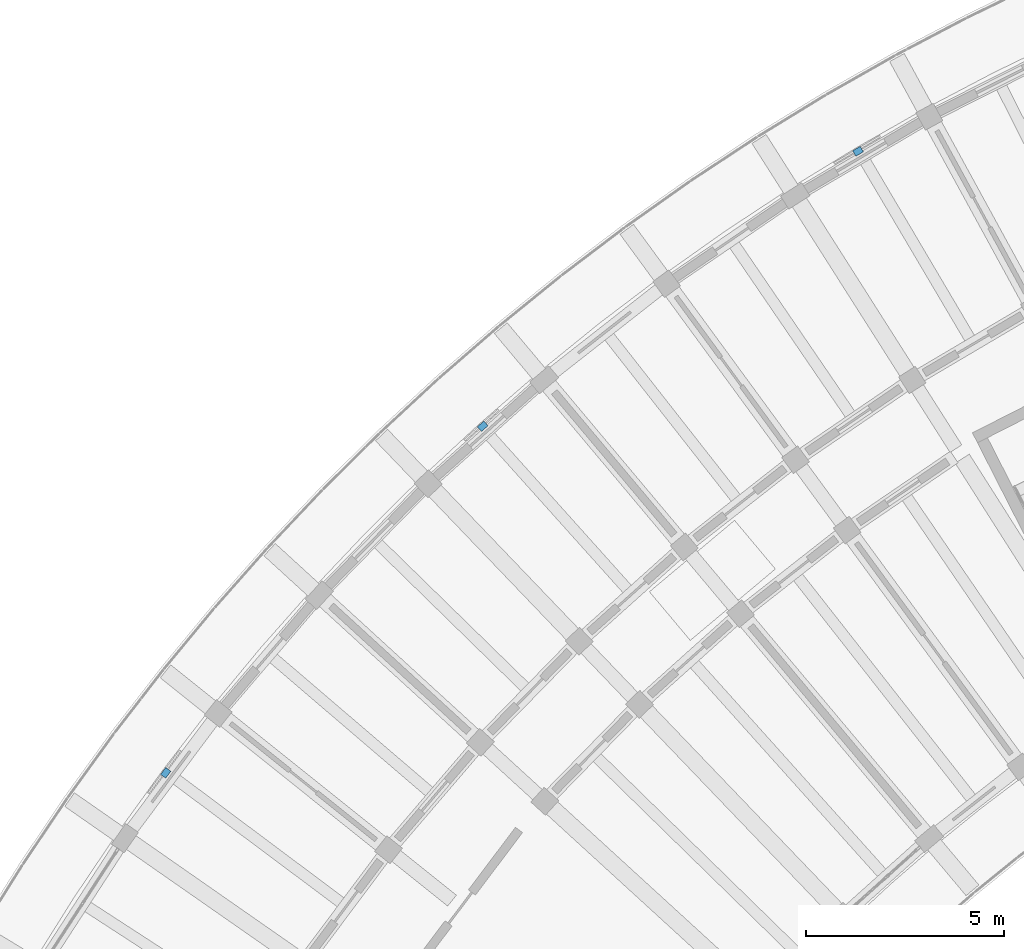
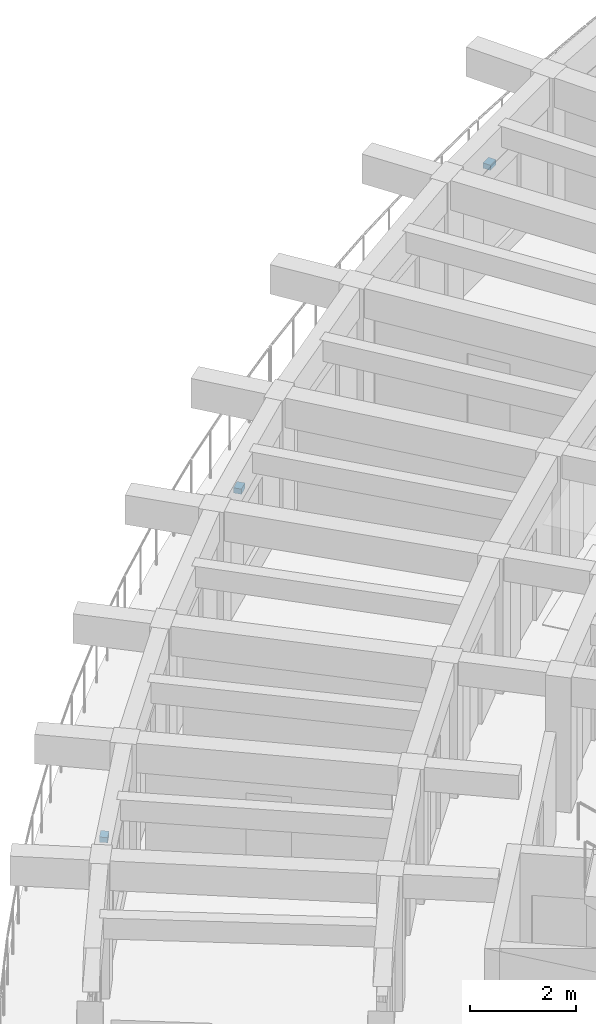
# One storey, part 47 of 62: 3 discrete accessories.
"""IFC4 building model written with IfcOpenShell, lengths in metres."""

from ifc_helpers import new_model, si_unit, direction, frame, origin, origin_2d, place, context, subcontext, project, spatial, rectangle, extrude, material, type_object, element, save


model = new_model("IFC4")

# Units and contexts
model_context = context("Model", 3, precision=1e-05, world=origin(), true_north=direction((0.0, 1.0)))
body_context = subcontext(model_context, "Body", "Model", "MODEL_VIEW")
ifc_project = project(units=[si_unit("LENGTHUNIT", "METRE"), si_unit("AREAUNIT", "SQUARE_METRE"), si_unit("VOLUMEUNIT", "CUBIC_METRE"), si_unit("PLANEANGLEUNIT", "RADIAN"), si_unit("MASSUNIT", "GRAM", prefix="KILO")], contexts=[model_context])

# Site, building, storey
site_placement = place(None, origin())
site = spatial("IfcSite", under=ifc_project, at=site_placement, CompositionType="ELEMENT")
building_placement = place(site_placement, origin())
building = spatial("IfcBuilding", under=site, at=building_placement, Name="Tanwirah Colonnade Gardens", CompositionType="ELEMENT")
storey_placement = place(building_placement, frame((0.0, 0.0, 32.360107421875)))
storey = spatial("IfcBuildingStorey", under=building, at=storey_placement, Name="L09", CompositionType="ELEMENT", Elevation=32.360107421875)

# Discrete accessories
ifc_material = material(Name="Steel S355", Category="steel")
discrete_accessory_type = type_object("IfcDiscreteAccessoryType", Name="BRK-SS1", PredefinedType="BRACKET", material=ifc_material)
for number, where, z_axis, x_axis, name in (
    (1, (34.636474609375, 111.578857421875, 2.009765625), (0.0, 0.0, 1.0), (-0.861135955429, -0.508374730162, 0.0), "Solar screen support bracket A-L09-06"),
    (2, (25.1728515625, 104.646728515625, 2.0498046875), (0.0, 0.0, 1.0), (-0.744439844011, -0.667689537621, 0.0), "Solar screen support bracket A-L09-09"),
    (3, (17.181884765625, 95.9091796875, 2.099853515625), (0.0, 0.0, 1.0), (-0.598712697637, -0.800963860413, 0.0), "Solar screen support bracket A-L09-12"),
):
    element("IfcDiscreteAccessory", number, at=place(storey_placement, frame(where, z_axis=z_axis, x_axis=x_axis)), inside=storey, type_object=discrete_accessory_type, Name=name, PredefinedType="BRACKET", context=body_context, shape_type="SweptSolid", body=[
        extrude(rectangle(XDim=0.219970703125, YDim=0.159912109375, at=origin_2d()), origin(), (0.0, 0.0, 1.0), 0.1201171875),
    ])

save(model, "model.ifc")
